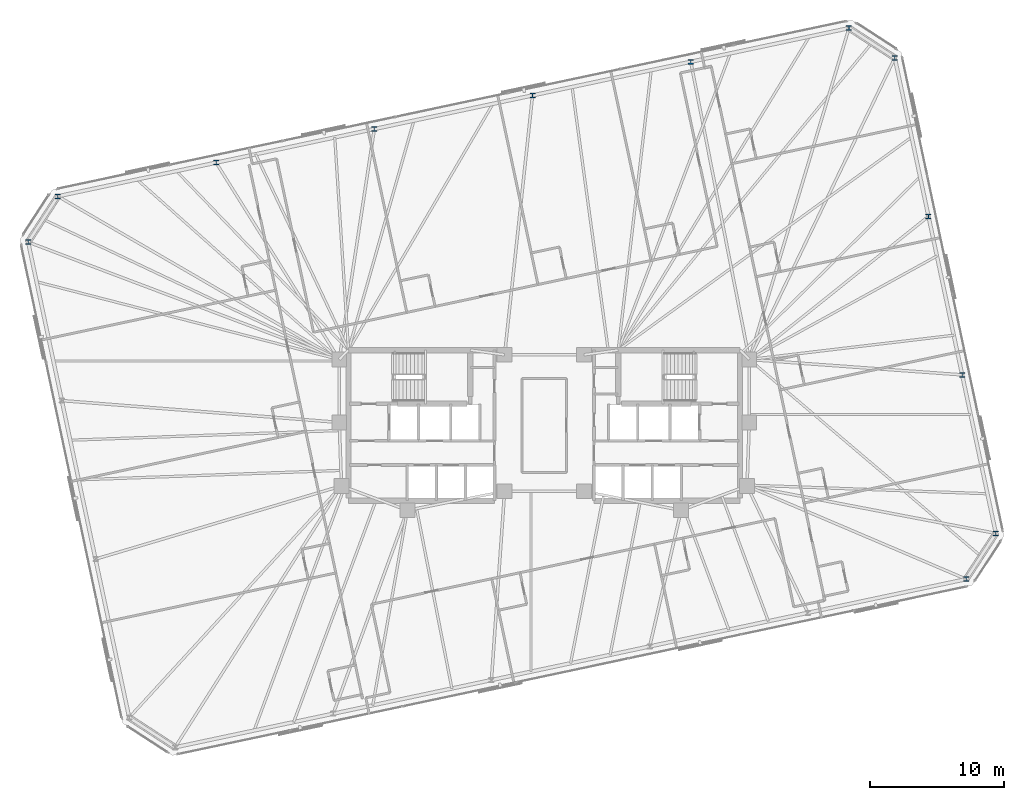
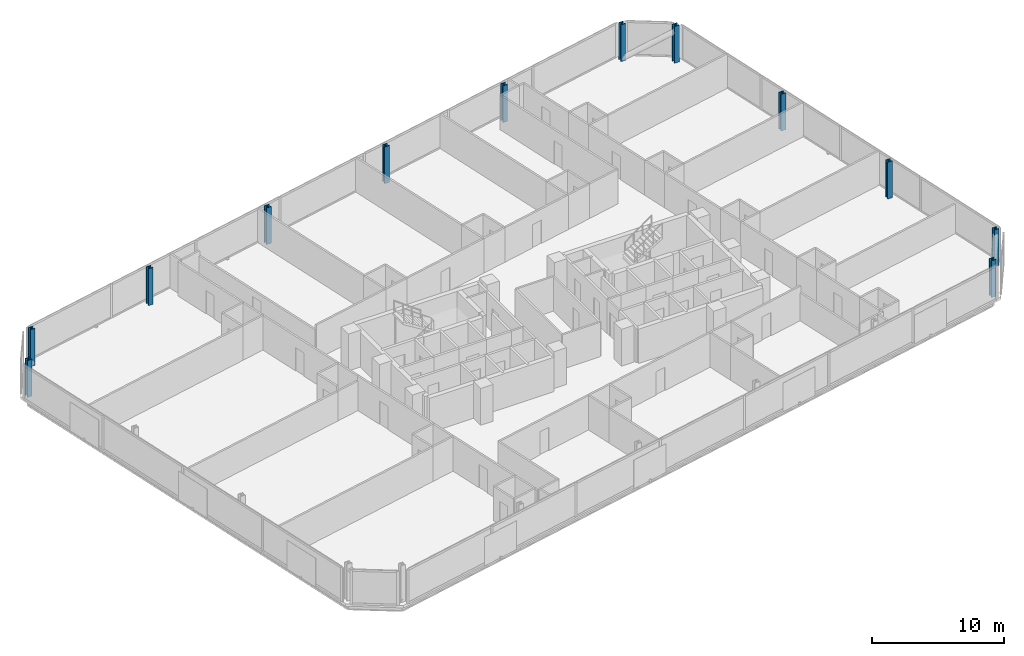
# One storey, part 5 of 19: 12 columns.
"""IFC4 building model written with IfcOpenShell, lengths in metres."""

from ifc_helpers import new_model, si_unit, direction, frame, origin, origin_2d, place, context, subcontext, project, spatial, i_section, extrude, material, material_profile, profile_set, type_object, element, save


model = new_model("IFC4")

# Units and contexts
model_context = context("Model", 3, precision=1e-05, world=origin(), true_north=direction((0.0, 1.0)))
body_context = subcontext(model_context, "Body", "Model", "MODEL_VIEW")
ifc_project = project(units=[si_unit("LENGTHUNIT", "METRE"), si_unit("AREAUNIT", "SQUARE_METRE"), si_unit("VOLUMEUNIT", "CUBIC_METRE"), si_unit("PLANEANGLEUNIT", "RADIAN"), si_unit("MASSUNIT", "GRAM", prefix="KILO")], contexts=[model_context])

# Site, building, storey
site_placement = place(None, origin())
site = spatial("IfcSite", under=ifc_project, at=site_placement, CompositionType="ELEMENT")
building_placement = place(site_placement, origin())
building = spatial("IfcBuilding", under=site, at=building_placement, Name="Menara Jurai Vektor", CompositionType="ELEMENT")
storey_placement = place(building_placement, frame((0.0, 0.0, 195.60009765625)))
storey = spatial("IfcBuildingStorey", under=building, at=storey_placement, Name="L51", CompositionType="ELEMENT", Elevation=195.60009765625)

# Columns
ifc_material = material(Name="Steel S460", Category="steel")
ifc_material_profile = material_profile(ifc_material, i_section(OverallWidth=0.408935546875, OverallDepth=0.3740234375, WebThickness=0.048095703125, FlangeThickness=0.076904296875, FilletRadius=0.014892578125, at=origin_2d()), Name="HD 400x634")
ifc_profile_set = profile_set([ifc_material_profile], Name="Steel S460")
column_type = type_object("IfcColumnType", Name="STR-EXO-BLK3", PredefinedType="COLUMN", material=ifc_profile_set)
for number, where, z_axis, x_axis, name in (
    (1, (31.376220703125, -11.438720703125, 0.0), (0.0, 0.0, 1.0), (1.0, 0.0, 0.0), "Exoskeleton Column BLK3-S6 L51"),
    (2, (33.588623046875, -8.031982421875, 0.0), (0.0, 0.0, 1.0), (1.0, 0.0, 0.0), "Exoskeleton Column BLK3-E1 L51"),
    (3, (31.082763671875, 3.75634765625, 0.0), (0.0, 0.0, 1.0), (1.0, 0.0, 0.0), "Exoskeleton Column BLK3-E2 L51"),
    (4, (28.5771484375, 15.544921875, 0.0), (0.0, 0.0, 1.0), (1.0, 0.0, 0.0), "Exoskeleton Column BLK3-E3 L51"),
    (5, (26.0712890625, 27.33349609375, 0.0), (0.0, 0.0, 1.0), (1.0, 0.0, 0.0), "Exoskeleton Column BLK3-E4 L51"),
    (6, (22.664794921875, 29.545654296875, 0.0), (0.0, 0.0, 1.0), (1.0, 0.0, 0.0), "Exoskeleton Column BLK3-N1 L51"),
    (7, (10.896484375, 27.044189453125, 0.0), (0.0, 0.0, 1.0), (1.0, 0.0, 0.0), "Exoskeleton Column BLK3-N2 L51"),
    (8, (-0.87158203125, 24.54296875, 0.0), (0.0, 0.0, 1.0), (1.0, 0.0, 0.0), "Exoskeleton Column BLK3-N3 L51"),
    (9, (-12.639892578125, 22.04150390625, 0.0), (0.0, 0.0, 1.0), (1.0, 0.0, 0.0), "Exoskeleton Column BLK3-N4 L51"),
    (10, (-24.407958984375, 19.5400390625, 0.0), (0.0, 0.0, 1.0), (1.0, 0.0, 0.0), "Exoskeleton Column BLK3-N5 L51"),
    (11, (-36.17626953125, 17.03857421875, 0.0), (0.0, 0.0, 1.0), (1.0, 0.0, 0.0), "Exoskeleton Column BLK3-N6 L51"),
    (12, (-38.388671875, 13.632080078125, 0.0), (0.0, 0.0, 1.0), (1.0, 0.0, 0.0), "Exoskeleton Column BLK3-W1 L51"),
):
    element("IfcColumn", number, at=place(storey_placement, frame(where, z_axis=z_axis, x_axis=x_axis)), inside=storey, type_object=column_type, Name=name, PredefinedType="COLUMN", context=body_context, shape_type="SweptSolid", body=[
        extrude(i_section(OverallWidth=0.408935546875, OverallDepth=0.3740234375, WebThickness=0.048095703125, FlangeThickness=0.076904296875, FilletRadius=0.014892578125, at=origin_2d()), origin(), (0.0, 0.0, 1.0), 3.39990234375),
    ])

save(model, "model.ifc")
